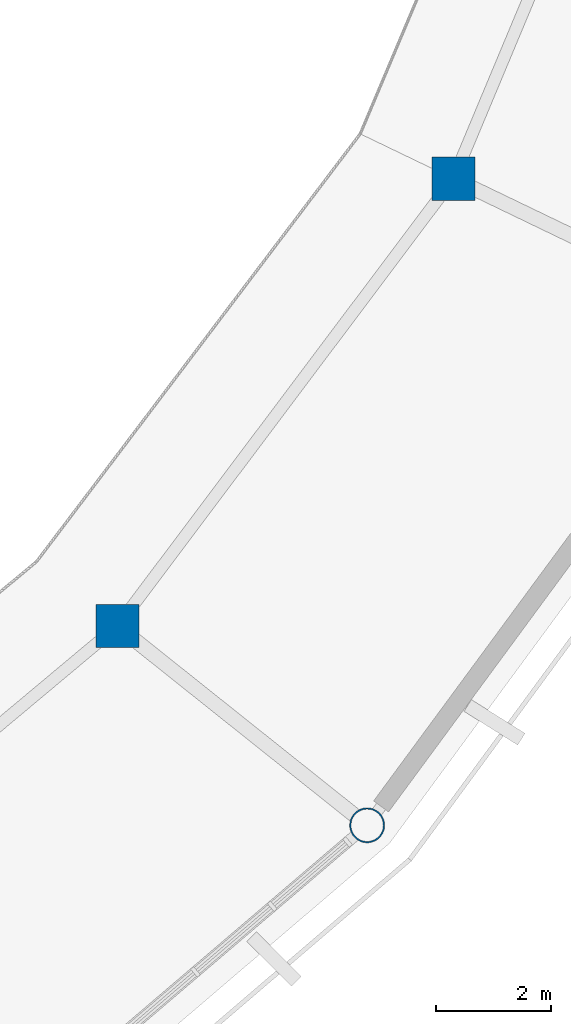
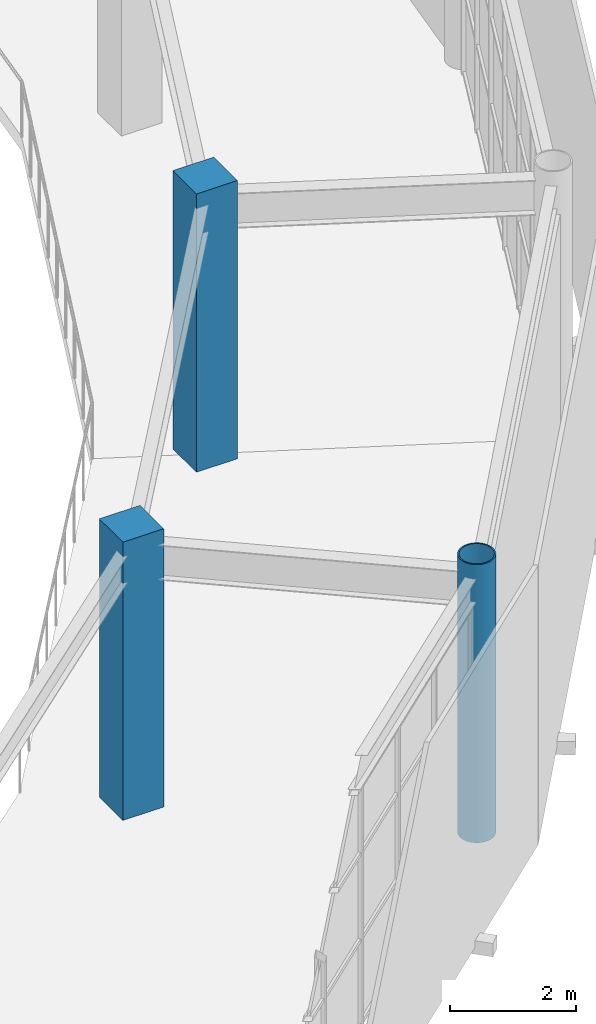
# One storey, part 6 of 70: 3 columns.
"""IFC4 building model written with IfcOpenShell, lengths in metres."""

from ifc_helpers import new_model, si_unit, direction, frame, origin, origin_2d, place, context, subcontext, project, spatial, rectangle, hollow_circle, extrude, material, material_profile, profile_set, type_object, element, save


model = new_model("IFC4")

# Units and contexts
model_context = context("Model", 3, precision=1e-05, world=origin(), true_north=direction((0.0, 1.0)))
body_context = subcontext(model_context, "Body", "Model", "MODEL_VIEW")
ifc_project = project(units=[si_unit("LENGTHUNIT", "METRE"), si_unit("AREAUNIT", "SQUARE_METRE"), si_unit("VOLUMEUNIT", "CUBIC_METRE"), si_unit("PLANEANGLEUNIT", "RADIAN"), si_unit("MASSUNIT", "GRAM", prefix="KILO")], contexts=[model_context])

# Site, building, storey
site_placement = place(None, origin())
site = spatial("IfcSite", under=ifc_project, at=site_placement, CompositionType="ELEMENT")
building_placement = place(site_placement, origin())
building = spatial("IfcBuilding", under=site, at=building_placement, Name="Cuetzalor Civic Arena", CompositionType="ELEMENT")
storey_placement = place(building_placement, frame((0.0, 0.0, 21.0)))
storey = spatial("IfcBuildingStorey", under=building, at=storey_placement, Name="L04", CompositionType="ELEMENT", Elevation=21.0)

# Columns
ifc_material_1 = material(Name="Concrete C40/50", Category="concrete")
ifc_material_profile_1 = material_profile(ifc_material_1, rectangle(XDim=0.75, YDim=0.75, at=origin_2d()), Name="RC 750x750")
ifc_profile_set_1 = profile_set([ifc_material_profile_1], Name="Concrete C40/50")
column_type_1 = type_object("IfcColumnType", Name="ConcreteColumn_750", PredefinedType="COLUMN", material=ifc_profile_set_1)
for number, where, z_axis, x_axis, name in (
    (1, (38.309814453125, -25.56298828125, 0.0), (0.0, 0.0, 1.0), (1.0, 0.0, 0.0), "Column V1-REC-26 L04"),
    (2, (44.1474609375, -17.789306640625, 0.0), (0.0, 0.0, 1.0), (1.0, 0.0, 0.0), "Column V1-REC-27 L04"),
):
    element("IfcColumn", number, at=place(storey_placement, frame(where, z_axis=z_axis, x_axis=x_axis)), inside=storey, type_object=column_type_1, Name=name, PredefinedType="COLUMN", context=body_context, shape_type="SweptSolid", body=[
        extrude(rectangle(XDim=0.75, YDim=0.75, at=origin_2d()), origin(), (0.0, 0.0, 1.0), 5.39990234375),
    ])
ifc_material_2 = material(Name="Steel S355", Category="steel")
ifc_material_profile_2 = material_profile(ifc_material_2, hollow_circle(Radius=0.304931640625, WallThickness=0.02490234375, at=origin_2d()), Name="CHS 610x25")
ifc_profile_set_2 = profile_set([ifc_material_profile_2], Name="Steel S355")
column_type_2 = type_object("IfcColumnType", Name="SteelDomePylon_CHS610", PredefinedType="COLUMN", material=ifc_profile_set_2)
column_placement = place(storey_placement, frame((42.64892578125, -29.0234375, 0.0), z_axis=(0.0, 0.0, 1.0), x_axis=(1.0, 0.0, 0.0)))
element("IfcColumn", 3, at=column_placement, inside=storey, type_object=column_type_2, Name="Column V1-PYL-26 L04", PredefinedType="COLUMN", context=body_context, shape_type="SweptSolid", body=[
    extrude(hollow_circle(Radius=0.304931640625, WallThickness=0.02490234375, at=origin_2d()), origin(), (0.0, 0.0, 1.0), 5.39990234375),
])

save(model, "model.ifc")
